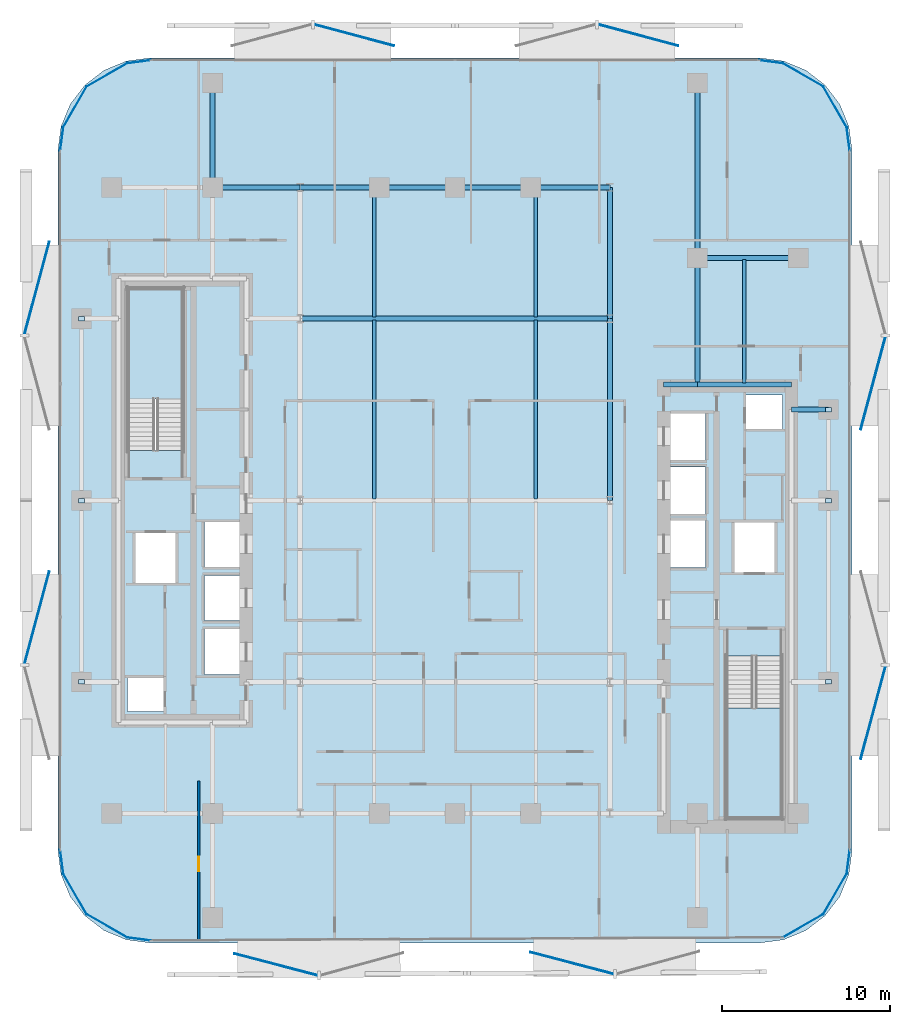
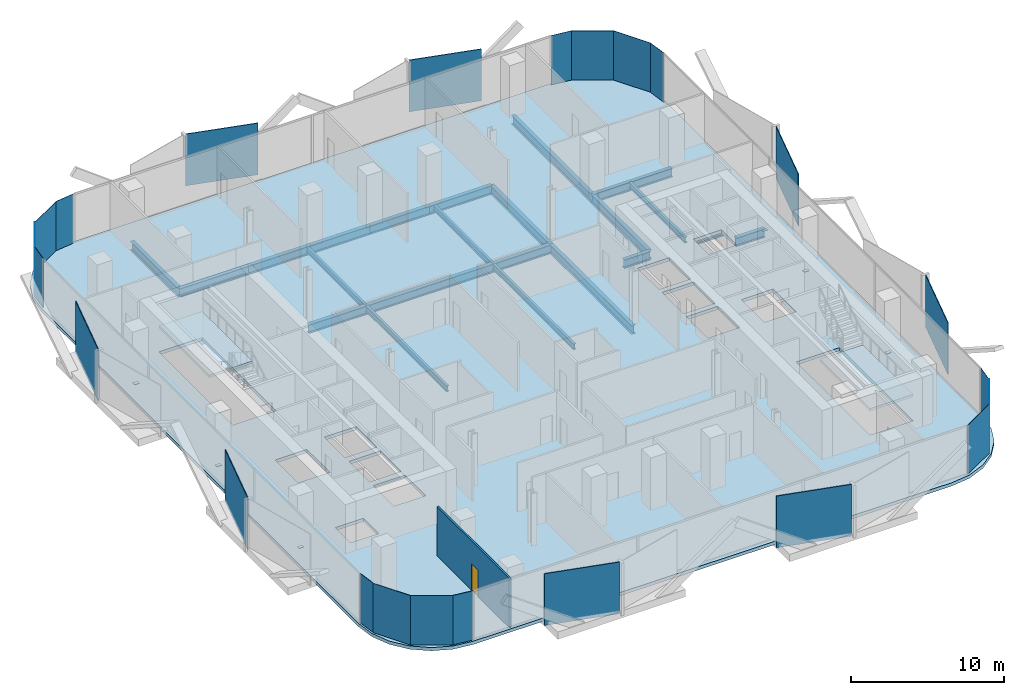
# One storey, part 2 of 16: 29 plates, 20 beams, 3 slabs, 1 door, 1 wall, 1 opening, 2 elements without a shape of their own.
"""IFC4 building model written with IfcOpenShell, lengths in metres."""

import ifcopenshell
import ifcopenshell.guid

model = None  # the IFC model being written
_history = None  # IfcOwnerHistory: only IFC2X3 demands one
_inside = {}  # id of a spatial element -> (the spatial element, [elements in it])
_under = {}  # id of a project, library or spatial element -> (it, [spatial elements below it])
_declared = {}  # id of a project -> (the project, [libraries it declares])
_typed = {}  # id of a type object -> (the type object, [elements of that type])
_made_of = {}  # id of a material, layer set ... -> (it, [elements and type objects made of it])


def new_model(schema):
    """Start an empty IFC model of exactly this schema.

    Asked for "IFC4X3", IfcOpenShell would pick the latest addendum, in which some entities
    have other attributes; the version numbers below select the first issue.
    IFC2X3 requires an IfcOwnerHistory on every rooted entity: one is made here for all.
    """
    global model, _history
    if schema == "IFC4X3":
        model = ifcopenshell.file(schema_version=(4, 3, 0, 0))
    else:
        model = ifcopenshell.file(schema=schema)
    _inside.clear()
    _under.clear()
    _declared.clear()
    _typed.clear()
    _made_of.clear()
    _history = None
    if model.schema == "IFC2X3":
        org = make("IfcOrganization", Name="unknown")
        user = make(
            "IfcPersonAndOrganization",
            ThePerson=make("IfcPerson", FamilyName="unknown"),
            TheOrganization=org,
        )
        app = make(
            "IfcApplication",
            ApplicationDeveloper=org,
            Version="unknown",
            ApplicationFullName="unknown",
            ApplicationIdentifier="unknown",
        )
        _history = make(
            "IfcOwnerHistory",
            OwningUser=user,
            OwningApplication=app,
            ChangeAction="ADDED",
            CreationDate=0,
        )
    return model


def make(cls, **values):
    """One entity of the class cls with the attributes given. An attribute that is None is left unset."""
    return model.create_entity(
        cls, **{name: value for name, value in values.items() if value is not None}
    )


def rooted(cls, **values):
    """An entity with a GlobalId (a new one), such as an element, a storey or a relation."""
    return make(cls, GlobalId=ifcopenshell.guid.new(), OwnerHistory=_history, **values)


def si_unit(unit_type, name, prefix=None):
    """IfcSIUnit, for example si_unit("LENGTHUNIT", "METRE", prefix="MILLI")."""
    return make("IfcSIUnit", UnitType=unit_type, Prefix=prefix, Name=name)


def assignment(units):
    """IfcUnitAssignment: the units of a project."""
    return None if units is None else make("IfcUnitAssignment", Units=units)


def point(xyz):
    """IfcCartesianPoint."""
    return None if xyz is None else make("IfcCartesianPoint", Coordinates=xyz)


def direction(xyz):
    """IfcDirection."""
    return None if xyz is None else make("IfcDirection", DirectionRatios=xyz)


def frame(location, z_axis=None, x_axis=None):
    """IfcAxis2Placement3D, a coordinate frame: its origin and axes. An axis left out is left unset."""
    return make(
        "IfcAxis2Placement3D",
        Location=point(location),
        Axis=direction(z_axis),
        RefDirection=direction(x_axis),
    )


def frame_2d(location, x_axis=None):
    """IfcAxis2Placement2D, a coordinate frame in the plane: its origin and x axis."""
    return make(
        "IfcAxis2Placement2D", Location=point(location), RefDirection=direction(x_axis)
    )


def origin():
    """The frame at (0, 0, 0) with its axes left unset."""
    return frame((0.0, 0.0, 0.0))


def origin_2d():
    """The frame at (0, 0) in the plane with its x axis left unset."""
    return frame_2d((0.0, 0.0))


def place(relative_to, where):
    """IfcLocalPlacement: puts the frame where relative to a parent placement (None: the world)."""
    return make(
        "IfcLocalPlacement", PlacementRelTo=relative_to, RelativePlacement=where
    )


def context(
    kind, dimensions, precision=None, world=None, true_north=None, identifier=None
):
    """IfcGeometricRepresentationContext, for example the 3D "Model" context."""
    return make(
        "IfcGeometricRepresentationContext",
        ContextIdentifier=identifier,
        ContextType=kind,
        CoordinateSpaceDimension=dimensions,
        Precision=precision,
        WorldCoordinateSystem=world,
        TrueNorth=true_north,
    )


def subcontext(parent, identifier, kind, view, scale=None):
    """IfcGeometricRepresentationSubContext, for example "Body" below "Model"."""
    return make(
        "IfcGeometricRepresentationSubContext",
        ContextIdentifier=identifier,
        ContextType=kind,
        ParentContext=parent,
        TargetScale=scale,
        TargetView=view,
    )


def project(units=None, contexts=None):
    """IfcProject with its units and contexts."""
    return rooted(
        "IfcProject",
        Name="project",
        RepresentationContexts=contexts,
        UnitsInContext=assignment(units),
    )


def spatial(cls, under=None, at=None, **own):
    """A site, building, storey or space (cls), placed at a placement, below another one or the project."""
    s = rooted(cls, ObjectPlacement=at, **own)
    if under is not None:
        _under.setdefault(under.id(), (under, []))[1].append(s)
    return s


def polyline(points):
    """IfcPolyline through the points."""
    return make("IfcPolyline", Points=[point(p) for p in points])


def profile(cls, at=None, kind="AREA", **sizes):
    """A parametric profile (cls). Its sizes go by their IFC names, for example OverallWidth=200.0."""
    return make(cls, ProfileType=kind, Position=at, **sizes)


def rectangle(**sizes):
    """IfcRectangleProfileDef."""
    return profile("IfcRectangleProfileDef", **sizes)


def i_section(**sizes):
    """IfcIShapeProfileDef."""
    return profile("IfcIShapeProfileDef", **sizes)


def outline(outer, holes=None, kind="AREA"):
    """IfcArbitraryClosedProfileDef: a profile drawn as a closed curve; with holes, ...WithVoids."""
    if holes is None:
        return make("IfcArbitraryClosedProfileDef", ProfileType=kind, OuterCurve=outer)
    return make(
        "IfcArbitraryProfileDefWithVoids",
        ProfileType=kind,
        OuterCurve=outer,
        InnerCurves=holes,
    )


def extrude(swept, where, along, depth):
    """IfcExtrudedAreaSolid: the profile swept, set in the frame where, extruded along a direction by depth."""
    return make(
        "IfcExtrudedAreaSolid",
        SweptArea=swept,
        Position=where,
        ExtrudedDirection=direction(along),
        Depth=depth,
    )


def shape(context_of_items, identifier, shape_type, items):
    """IfcShapeRepresentation: the items that make up one representation, for example the "Body"."""
    return make(
        "IfcShapeRepresentation",
        ContextOfItems=context_of_items,
        RepresentationIdentifier=identifier,
        RepresentationType=shape_type,
        Items=items,
    )


def material(Name=None, Category=None):
    """IfcMaterial."""
    return make("IfcMaterial", Name=Name, Category=Category)


def layer(
    of_material, thickness, ventilated=None, Name=None, Category=None, Priority=None
):
    """IfcMaterialLayer: one layer of a wall or slab, of a material (None: an air gap)."""
    return make(
        "IfcMaterialLayer",
        Material=of_material,
        LayerThickness=thickness,
        IsVentilated=ventilated,
        Name=Name,
        Category=Category,
        Priority=Priority,
    )


def layer_set(layers, Name=None):
    """IfcMaterialLayerSet."""
    return make("IfcMaterialLayerSet", MaterialLayers=layers, LayerSetName=Name)


def material_profile(
    of_material, cross_section, Name=None, Category=None, Priority=None
):
    """IfcMaterialProfile: a cross section and its material."""
    return make(
        "IfcMaterialProfile",
        Name=Name,
        Material=of_material,
        Profile=cross_section,
        Priority=Priority,
        Category=Category,
    )


def profile_set(profiles, Name=None, composite=None):
    """IfcMaterialProfileSet."""
    return make(
        "IfcMaterialProfileSet",
        Name=Name,
        MaterialProfiles=profiles,
        CompositeProfile=composite,
    )


def made_of(thing, what):
    """Note that an element or type object is made of a material, layer set ...; save() writes the relation."""
    if what is not None:
        _made_of.setdefault(what.id(), (what, []))[1].append(thing)
    return thing


def type_object(cls, material=None, **own):
    """A type object (cls), such as IfcWallType, which elements share."""
    return made_of(rooted(cls, **own), material)


def element(
    cls,
    number,
    at=None,
    inside=None,
    cuts=None,
    type_object=None,
    material=None,
    context=None,
    identifier="Body",
    shape_type=None,
    held_by="IfcProductDefinitionShape",
    body=None,
    shapes=None,
    **own,
):
    """One element of the class cls, such as IfcWall. Its Tag is "e" and its number.

    at: its placement. inside: the storey or other place that contains it. cuts: it is an
    opening in that element (IfcRelVoidsElement). A single representation is given by context,
    identifier, shape_type and body (its items); several are given by shapes. held_by: the class
    of the entity that holds the representations. save() writes the other relations.
    """
    e = rooted(cls, Tag="e%d" % number, ObjectPlacement=at, **own)
    if body is not None:
        shapes = [shape(context, identifier, shape_type, body)]
    if shapes is not None:
        e.Representation = make(held_by, Representations=shapes)
    if inside is not None:
        _inside.setdefault(inside.id(), (inside, []))[1].append(e)
    if cuts is not None:
        rooted(
            "IfcRelVoidsElement", RelatingBuildingElement=cuts, RelatedOpeningElement=e
        )
    if type_object is not None:
        _typed.setdefault(type_object.id(), (type_object, []))[1].append(e)
    return made_of(e, material)


def fill(opening, filler):
    """IfcRelFillsElement: the door or window that sits in an opening."""
    return rooted(
        "IfcRelFillsElement",
        RelatingOpeningElement=opening,
        RelatedBuildingElement=filler,
    )


def aggregate(whole, parts):
    """IfcRelAggregates: a whole, such as a stair, and the parts it consists of."""
    return rooted("IfcRelAggregates", RelatingObject=whole, RelatedObjects=parts)


def save(model, path):
    """Write the relations noted so far, then the file.

    IfcRelAggregates (storeys below a building ...), IfcRelContainedInSpatialStructure (elements
    in a storey), IfcRelDefinesByType, IfcRelAssociatesMaterial and IfcRelDeclares: one each for
    every whole, place, type object, material and project.
    """
    for whole, parts in _under.values():
        aggregate(whole, parts)
    for where, things in _inside.values():
        rooted(
            "IfcRelContainedInSpatialStructure",
            RelatedElements=things,
            RelatingStructure=where,
        )
    for kind, things in _typed.values():
        rooted("IfcRelDefinesByType", RelatedObjects=things, RelatingType=kind)
    for what, things in _made_of.values():
        rooted("IfcRelAssociatesMaterial", RelatedObjects=things, RelatingMaterial=what)
    for by, libraries in _declared.values():
        rooted("IfcRelDeclares", RelatingContext=by, RelatedDefinitions=libraries)
    model.write(path)


model = new_model("IFC4")

# Units and contexts
model_context = context("Model", 3, precision=1e-05, world=origin(), true_north=direction((0.0, 1.0)))
body_context = subcontext(model_context, "Body", "Model", "MODEL_VIEW")
ifc_project = project(units=[si_unit("LENGTHUNIT", "METRE"), si_unit("AREAUNIT", "SQUARE_METRE"), si_unit("VOLUMEUNIT", "CUBIC_METRE"), si_unit("PLANEANGLEUNIT", "RADIAN"), si_unit("MASSUNIT", "GRAM", prefix="KILO")], contexts=[model_context])

# Site, building, storey
site_placement = place(None, origin())
site = spatial("IfcSite", under=ifc_project, at=site_placement, CompositionType="ELEMENT")
building_placement = place(site_placement, origin())
building = spatial("IfcBuilding", under=site, at=building_placement, Name="Khairoan Windgate Tower", CompositionType="ELEMENT")
storey_placement = place(building_placement, frame((0.0, 0.0, 139.39990234375)))
storey = spatial("IfcBuildingStorey", under=building, at=storey_placement, Name="L32", CompositionType="ELEMENT", Elevation=139.39990234375)

# Beams
ifc_material_1 = material(Name="Steel S355", Category="steel")
ifc_material_profile_1 = material_profile(ifc_material_1, i_section(OverallWidth=0.300048828125, OverallDepth=0.699951171875, WebThickness=0.012939453125, FlangeThickness=0.02392578125, FilletRadius=0.02587890625, at=origin_2d()))
ifc_profile_set_1 = profile_set([ifc_material_profile_1], Name="Steel S355")
beam_type_1 = type_object("IfcBeamType", Name="Beam B-G3 H700x300x13x24", PredefinedType="BEAM", material=ifc_profile_set_1)
beam_1_placement = place(storey_placement, frame((20.0, 5.39990234375, -0.60986328125), z_axis=(1.0, 0.0, 0.0), x_axis=(0.0, 1.0, 0.0)))
element("IfcBeam", 1, at=beam_1_placement, inside=storey, type_object=beam_type_1, Name="L32 E-W Primary Girder 19", PredefinedType="BEAM", context=body_context, shape_type="SweptSolid", body=[
    extrude(i_section(OverallWidth=0.300048828125, OverallDepth=0.699951171875, WebThickness=0.012939453125, FlangeThickness=0.02392578125, FilletRadius=0.02587890625, at=origin_2d()), origin(), (0.0, 0.0, 1.0), 2.199951171875),
])
beam_2_placement = place(storey_placement, frame((12.39990234375, 6.89990234375, -0.60986328125), z_axis=(1.0, 0.0, 0.0), x_axis=(0.0, 1.0, 0.0)))
element("IfcBeam", 2, at=beam_2_placement, inside=storey, type_object=beam_type_1, Name="L32 E-W Primary Girder 20", PredefinedType="BEAM", context=body_context, shape_type="SweptSolid", body=[
    extrude(i_section(OverallWidth=0.300048828125, OverallDepth=0.699951171875, WebThickness=0.012939453125, FlangeThickness=0.02392578125, FilletRadius=0.02587890625, at=origin_2d()), origin(), (0.0, 0.0, 1.0), 2.0),
])
beam_3_placement = place(storey_placement, frame((14.39990234375, 6.89990234375, -0.60986328125), z_axis=(1.0, 0.0, 0.0), x_axis=(0.0, 1.0, 0.0)))
element("IfcBeam", 3, at=beam_3_placement, inside=storey, type_object=beam_type_1, Name="L32 E-W Primary Girder 21", PredefinedType="BEAM", context=body_context, shape_type="SweptSolid", body=[
    extrude(i_section(OverallWidth=0.300048828125, OverallDepth=0.699951171875, WebThickness=0.012939453125, FlangeThickness=0.02392578125, FilletRadius=0.02587890625, at=origin_2d()), origin(), (0.0, 0.0, 1.0), 5.60009765625),
])
beam_4_placement = place(storey_placement, frame((-9.199951171875, 10.800048828125, -0.60986328125), z_axis=(1.0, 0.0, 0.0), x_axis=(0.0, 1.0, 0.0)))
element("IfcBeam", 4, at=beam_4_placement, inside=storey, type_object=beam_type_1, Name="L32 E-W Primary Girder 24", PredefinedType="BEAM", context=body_context, shape_type="SweptSolid", body=[
    extrude(i_section(OverallWidth=0.300048828125, OverallDepth=0.699951171875, WebThickness=0.012939453125, FlangeThickness=0.02392578125, FilletRadius=0.02587890625, at=origin_2d()), origin(), (0.0, 0.0, 1.0), 18.39990234375),
])
beam_5_placement = place(storey_placement, frame((14.39990234375, 14.39990234375, -0.60986328125), z_axis=(1.0, 0.0, 0.0), x_axis=(0.0, 1.0, 0.0)))
element("IfcBeam", 5, at=beam_5_placement, inside=storey, type_object=beam_type_1, Name="L32 E-W Primary Girder 27", PredefinedType="BEAM", context=body_context, shape_type="SweptSolid", body=[
    extrude(i_section(OverallWidth=0.300048828125, OverallDepth=0.699951171875, WebThickness=0.012939453125, FlangeThickness=0.02392578125, FilletRadius=0.02587890625, at=origin_2d()), origin(), (0.0, 0.0, 1.0), 6.0),
])
beam_6_placement = place(storey_placement, frame((-14.39990234375, 18.60009765625, -0.60986328125), z_axis=(1.0, 0.0, 0.0), x_axis=(0.0, 1.0, 0.0)))
element("IfcBeam", 6, at=beam_6_placement, inside=storey, type_object=beam_type_1, Name="L32 E-W Primary Girder 29", PredefinedType="BEAM", context=body_context, shape_type="SweptSolid", body=[
    extrude(i_section(OverallWidth=0.300048828125, OverallDepth=0.699951171875, WebThickness=0.012939453125, FlangeThickness=0.02392578125, FilletRadius=0.02587890625, at=origin_2d()), origin(), (0.0, 0.0, 1.0), 5.199951171875),
])
beam_7_placement = place(storey_placement, frame((-9.199951171875, 18.60009765625, -0.60986328125), z_axis=(1.0, 0.0, 0.0), x_axis=(0.0, 1.0, 0.0)))
element("IfcBeam", 7, at=beam_7_placement, inside=storey, type_object=beam_type_1, Name="L32 E-W Primary Girder 30", PredefinedType="BEAM", context=body_context, shape_type="SweptSolid", body=[
    extrude(i_section(OverallWidth=0.300048828125, OverallDepth=0.699951171875, WebThickness=0.012939453125, FlangeThickness=0.02392578125, FilletRadius=0.02587890625, at=origin_2d()), origin(), (0.0, 0.0, 1.0), 4.699951171875),
])
for number, where, z_axis, x_axis, name in (
    (8, (-4.5, 18.60009765625, -0.60986328125), (1.0, 0.0, 0.0), (0.0, 1.0, 0.0), "L32 E-W Primary Girder 31"),
    (9, (0.0, 18.60009765625, -0.60986328125), (1.0, 0.0, 0.0), (0.0, 1.0, 0.0), "L32 E-W Primary Girder 32"),
):
    element("IfcBeam", number, at=place(storey_placement, frame(where, z_axis=z_axis, x_axis=x_axis)), inside=storey, type_object=beam_type_1, Name=name, PredefinedType="BEAM", context=body_context, shape_type="SweptSolid", body=[
        extrude(i_section(OverallWidth=0.300048828125, OverallDepth=0.699951171875, WebThickness=0.012939453125, FlangeThickness=0.02392578125, FilletRadius=0.02587890625, at=origin_2d()), origin(), (0.0, 0.0, 1.0), 4.5),
    ])
beam_8_placement = place(storey_placement, frame((4.5, 18.60009765625, -0.60986328125), z_axis=(1.0, 0.0, 0.0), x_axis=(0.0, 1.0, 0.0)))
element("IfcBeam", 10, at=beam_8_placement, inside=storey, type_object=beam_type_1, Name="L32 E-W Primary Girder 33", PredefinedType="BEAM", context=body_context, shape_type="SweptSolid", body=[
    extrude(i_section(OverallWidth=0.300048828125, OverallDepth=0.699951171875, WebThickness=0.012939453125, FlangeThickness=0.02392578125, FilletRadius=0.02587890625, at=origin_2d()), origin(), (0.0, 0.0, 1.0), 4.699951171875),
])
beam_9_placement = place(storey_placement, frame((-14.39990234375, 18.60009765625, -0.60986328125), z_axis=(0.0, 1.0, 0.0), x_axis=(-1.0, 0.0, 0.0)))
element("IfcBeam", 11, at=beam_9_placement, inside=storey, type_object=beam_type_1, Name="L32 N-S Primary Beam 43", PredefinedType="BEAM", context=body_context, shape_type="SweptSolid", body=[
    extrude(i_section(OverallWidth=0.300048828125, OverallDepth=0.699951171875, WebThickness=0.012939453125, FlangeThickness=0.02392578125, FilletRadius=0.02587890625, at=origin_2d()), origin(), (0.0, 0.0, 1.0), 6.199951171875),
])
beam_10_placement = place(storey_placement, frame((9.199951171875, 0.0, -0.60986328125), z_axis=(0.0, 1.0, 0.0), x_axis=(-1.0, 0.0, 0.0)))
element("IfcBeam", 12, at=beam_10_placement, inside=storey, type_object=beam_type_1, Name="L32 N-S Primary Beam 53", PredefinedType="BEAM", context=body_context, shape_type="SweptSolid", body=[
    extrude(i_section(OverallWidth=0.300048828125, OverallDepth=0.699951171875, WebThickness=0.012939453125, FlangeThickness=0.02392578125, FilletRadius=0.02587890625, at=origin_2d()), origin(), (0.0, 0.0, 1.0), 10.800048828125),
])
beam_11_placement = place(storey_placement, frame((9.199951171875, 10.800048828125, -0.60986328125), z_axis=(0.0, 1.0, 0.0), x_axis=(-1.0, 0.0, 0.0)))
element("IfcBeam", 13, at=beam_11_placement, inside=storey, type_object=beam_type_1, Name="L32 N-S Primary Beam 54", PredefinedType="BEAM", context=body_context, shape_type="SweptSolid", body=[
    extrude(i_section(OverallWidth=0.300048828125, OverallDepth=0.699951171875, WebThickness=0.012939453125, FlangeThickness=0.02392578125, FilletRadius=0.02587890625, at=origin_2d()), origin(), (0.0, 0.0, 1.0), 7.800048828125),
])
beam_12_placement = place(storey_placement, frame((14.39990234375, 6.89990234375, -0.60986328125), z_axis=(0.0, 1.0, 0.0), x_axis=(-1.0, 0.0, 0.0)))
element("IfcBeam", 14, at=beam_12_placement, inside=storey, type_object=beam_type_1, Name="L32 N-S Primary Beam 57", PredefinedType="BEAM", context=body_context, shape_type="SweptSolid", body=[
    extrude(i_section(OverallWidth=0.300048828125, OverallDepth=0.699951171875, WebThickness=0.012939453125, FlangeThickness=0.02392578125, FilletRadius=0.02587890625, at=origin_2d()), origin(), (0.0, 0.0, 1.0), 7.5),
])
beam_13_placement = place(storey_placement, frame((14.39990234375, 14.39990234375, -0.60986328125), z_axis=(0.0, 1.0, 0.0), x_axis=(-1.0, 0.0, 0.0)))
element("IfcBeam", 15, at=beam_13_placement, inside=storey, type_object=beam_type_1, Name="L32 N-S Primary Beam 58", PredefinedType="BEAM", context=body_context, shape_type="SweptSolid", body=[
    extrude(i_section(OverallWidth=0.300048828125, OverallDepth=0.699951171875, WebThickness=0.012939453125, FlangeThickness=0.02392578125, FilletRadius=0.02587890625, at=origin_2d()), origin(), (0.0, 0.0, 1.0), 10.400146484375),
])
ifc_material_2 = material(Name="Steel S355", Category="steel")
ifc_material_profile_2 = material_profile(ifc_material_2, i_section(OverallWidth=0.199951171875, OverallDepth=0.449951171875, WebThickness=0.009033203125, FlangeThickness=0.013916015625, FilletRadius=0.01806640625, at=origin_2d()))
ifc_profile_set_2 = profile_set([ifc_material_profile_2], Name="Steel S355")
beam_type_2 = type_object("IfcBeamType", Name="Beam J-S3 H450x200x9x14", PredefinedType="JOIST", material=ifc_profile_set_2)
beam_14_placement = place(storey_placement, frame((-4.800048828125, 0.090087890625, -0.48486328125), z_axis=(0.0, 1.0, 0.0), x_axis=(-1.0, 0.0, 0.0)))
element("IfcBeam", 16, at=beam_14_placement, inside=storey, type_object=beam_type_2, Name="L32 Secondary Floor Joist 05", PredefinedType="JOIST", context=body_context, shape_type="SweptSolid", body=[
    extrude(i_section(OverallWidth=0.199951171875, OverallDepth=0.449951171875, WebThickness=0.009033203125, FlangeThickness=0.013916015625, FilletRadius=0.01806640625, at=origin_2d()), origin(), (0.0, 0.0, 1.0), 10.619873046875),
])
beam_15_placement = place(storey_placement, frame((-4.800048828125, 10.889892578125, -0.48486328125), z_axis=(0.0, 1.0, 0.0), x_axis=(-1.0, 0.0, 0.0)))
element("IfcBeam", 17, at=beam_15_placement, inside=storey, type_object=beam_type_2, Name="L32 Secondary Floor Joist 06", PredefinedType="JOIST", context=body_context, shape_type="SweptSolid", body=[
    extrude(i_section(OverallWidth=0.199951171875, OverallDepth=0.449951171875, WebThickness=0.009033203125, FlangeThickness=0.013916015625, FilletRadius=0.01806640625, at=origin_2d()), origin(), (0.0, 0.0, 1.0), 7.6201171875),
])
beam_16_placement = place(storey_placement, frame((4.800048828125, 0.090087890625, -0.48486328125), z_axis=(0.0, 1.0, 0.0), x_axis=(-1.0, 0.0, 0.0)))
element("IfcBeam", 18, at=beam_16_placement, inside=storey, type_object=beam_type_2, Name="L32 Secondary Floor Joist 09", PredefinedType="JOIST", context=body_context, shape_type="SweptSolid", body=[
    extrude(i_section(OverallWidth=0.199951171875, OverallDepth=0.449951171875, WebThickness=0.009033203125, FlangeThickness=0.013916015625, FilletRadius=0.01806640625, at=origin_2d()), origin(), (0.0, 0.0, 1.0), 10.619873046875),
])
beam_17_placement = place(storey_placement, frame((4.800048828125, 10.889892578125, -0.48486328125), z_axis=(0.0, 1.0, 0.0), x_axis=(-1.0, 0.0, 0.0)))
element("IfcBeam", 19, at=beam_17_placement, inside=storey, type_object=beam_type_2, Name="L32 Secondary Floor Joist 10", PredefinedType="JOIST", context=body_context, shape_type="SweptSolid", body=[
    extrude(i_section(OverallWidth=0.199951171875, OverallDepth=0.449951171875, WebThickness=0.009033203125, FlangeThickness=0.013916015625, FilletRadius=0.01806640625, at=origin_2d()), origin(), (0.0, 0.0, 1.0), 7.6201171875),
])
beam_18_placement = place(storey_placement, frame((17.199951171875, 6.989990234375, -0.48486328125), z_axis=(0.0, 1.0, 0.0), x_axis=(-1.0, 0.0, 0.0)))
element("IfcBeam", 20, at=beam_18_placement, inside=storey, type_object=beam_type_2, Name="L32 Secondary Floor Joist 11", PredefinedType="JOIST", context=body_context, shape_type="SweptSolid", body=[
    extrude(i_section(OverallWidth=0.199951171875, OverallDepth=0.449951171875, WebThickness=0.009033203125, FlangeThickness=0.013916015625, FilletRadius=0.01806640625, at=origin_2d()), origin(), (0.0, 0.0, 1.0), 7.320068359375),
])

# Plates
ifc_material_3 = material(Name="Low-E Solar Control Laminated Glass", Category="glass")
ifc_layer_1 = layer(ifc_material_3, 0.030029296875, Name="Low-E Solar Control Laminated Glass")
ifc_layer_set_1 = layer_set([ifc_layer_1], Name="Low-E Solar Control Laminated Glass")
plate_type_1 = type_object("IfcPlateType", Name="Aerodynamic Wind-Corner Curved Glazing Plate", PredefinedType="USERDEFINED", material=ifc_layer_set_1)
plate_placement = place(storey_placement, frame((-18.788818359375, -26.068115234375, 0.000244140625), z_axis=(0.0, 0.0, 1.0), x_axis=(-0.991444861374, 0.13052619222, 0.0)))
element("IfcPlate", 21, at=plate_placement, inside=storey, type_object=plate_type_1, Name="L32 Aerodynamic Wind-Corner Curved Glazing Panel 2", ObjectType="GLAZING PANEL", PredefinedType="USERDEFINED", context=body_context, shape_type="SweptSolid", body=[
    extrude(rectangle(XDim=1.4482421875, YDim=0.028076171875, at=origin_2d()), origin(), (0.0, 0.0, 1.0), 3.93994140625),
])
for number, where, z_axis, x_axis, name in (
    (22, (-20.688232421875, -25.28271484375, 0.000244140625), (0.0, 0.0, 1.0), (-0.866025403784, 0.5, 0.0), "L32 Aerodynamic Wind-Corner Curved Glazing Panel 3"),
    (23, (-22.582763671875, -23.38818359375, 0.000244140625), (0.0, 0.0, 1.0), (-0.5, 0.866025403784, 0.0), "L32 Aerodynamic Wind-Corner Curved Glazing Panel 4"),
):
    element("IfcPlate", number, at=place(storey_placement, frame(where, z_axis=z_axis, x_axis=x_axis)), inside=storey, type_object=plate_type_1, Name=name, ObjectType="GLAZING PANEL", PredefinedType="USERDEFINED", context=body_context, shape_type="SweptSolid", body=[
        extrude(rectangle(XDim=2.81396484375, YDim=0.028076171875, at=origin_2d()), origin(), (0.0, 0.0, 1.0), 3.93994140625),
    ])
for number, where, z_axis, x_axis, name in (
    (24, (-23.3681640625, -21.489013671875, 0.000244140625), (0.0, 0.0, 1.0), (-0.13052619222, 0.991444861374, 0.0), "L32 Aerodynamic Wind-Corner Curved Glazing Panel 5"),
    (25, (-23.3681640625, 21.489013671875, 0.000244140625), (0.0, 0.0, 1.0), (0.13052619222, 0.991444861374, 0.0), "L32 Aerodynamic Wind-Corner Curved Glazing Panel 7"),
):
    element("IfcPlate", number, at=place(storey_placement, frame(where, z_axis=z_axis, x_axis=x_axis)), inside=storey, type_object=plate_type_1, Name=name, ObjectType="GLAZING PANEL", PredefinedType="USERDEFINED", context=body_context, shape_type="SweptSolid", body=[
        extrude(rectangle(XDim=1.4482421875, YDim=0.028076171875, at=origin_2d()), origin(), (0.0, 0.0, 1.0), 3.93994140625),
    ])
for number, where, z_axis, x_axis, name in (
    (26, (-22.582763671875, 23.38818359375, 0.000244140625), (0.0, 0.0, 1.0), (0.5, 0.866025403784, 0.0), "L32 Aerodynamic Wind-Corner Curved Glazing Panel 8"),
    (27, (-20.688232421875, 25.28271484375, 0.000244140625), (0.0, 0.0, 1.0), (0.866025403784, 0.5, 0.0), "L32 Aerodynamic Wind-Corner Curved Glazing Panel 9"),
):
    element("IfcPlate", number, at=place(storey_placement, frame(where, z_axis=z_axis, x_axis=x_axis)), inside=storey, type_object=plate_type_1, Name=name, ObjectType="GLAZING PANEL", PredefinedType="USERDEFINED", context=body_context, shape_type="SweptSolid", body=[
        extrude(rectangle(XDim=2.81396484375, YDim=0.028076171875, at=origin_2d()), origin(), (0.0, 0.0, 1.0), 3.93994140625),
    ])
for number, where, z_axis, x_axis, name in (
    (28, (-18.788818359375, 26.068115234375, 0.000244140625), (0.0, 0.0, 1.0), (0.991444861374, 0.13052619222, 0.0), "L32 Aerodynamic Wind-Corner Curved Glazing Panel 10"),
    (29, (18.788818359375, 26.068115234375, 0.000244140625), (0.0, 0.0, 1.0), (0.991444861374, -0.13052619222, 0.0), "L32 Aerodynamic Wind-Corner Curved Glazing Panel 12"),
):
    element("IfcPlate", number, at=place(storey_placement, frame(where, z_axis=z_axis, x_axis=x_axis)), inside=storey, type_object=plate_type_1, Name=name, ObjectType="GLAZING PANEL", PredefinedType="USERDEFINED", context=body_context, shape_type="SweptSolid", body=[
        extrude(rectangle(XDim=1.4482421875, YDim=0.028076171875, at=origin_2d()), origin(), (0.0, 0.0, 1.0), 3.93994140625),
    ])
for number, where, z_axis, x_axis, name in (
    (30, (20.688232421875, 25.28271484375, 0.000244140625), (0.0, 0.0, 1.0), (0.866025403784, -0.5, 0.0), "L32 Aerodynamic Wind-Corner Curved Glazing Panel 13"),
    (31, (22.582763671875, 23.38818359375, 0.000244140625), (0.0, 0.0, 1.0), (0.5, -0.866025403784, 0.0), "L32 Aerodynamic Wind-Corner Curved Glazing Panel 14"),
):
    element("IfcPlate", number, at=place(storey_placement, frame(where, z_axis=z_axis, x_axis=x_axis)), inside=storey, type_object=plate_type_1, Name=name, ObjectType="GLAZING PANEL", PredefinedType="USERDEFINED", context=body_context, shape_type="SweptSolid", body=[
        extrude(rectangle(XDim=2.81396484375, YDim=0.028076171875, at=origin_2d()), origin(), (0.0, 0.0, 1.0), 3.93994140625),
    ])
for number, where, z_axis, x_axis, name in (
    (32, (23.3681640625, 21.489013671875, 0.000244140625), (0.0, 0.0, 1.0), (0.13052619222, -0.991444861374, 0.0), "L32 Aerodynamic Wind-Corner Curved Glazing Panel 15"),
    (33, (23.3681640625, -21.489013671875, 0.000244140625), (0.0, 0.0, 1.0), (-0.13052619222, -0.991444861374, 0.0), "L32 Aerodynamic Wind-Corner Curved Glazing Panel 17"),
):
    element("IfcPlate", number, at=place(storey_placement, frame(where, z_axis=z_axis, x_axis=x_axis)), inside=storey, type_object=plate_type_1, Name=name, ObjectType="GLAZING PANEL", PredefinedType="USERDEFINED", context=body_context, shape_type="SweptSolid", body=[
        extrude(rectangle(XDim=1.4482421875, YDim=0.028076171875, at=origin_2d()), origin(), (0.0, 0.0, 1.0), 3.93994140625),
    ])
for number, where, z_axis, x_axis, name in (
    (34, (22.582763671875, -23.38818359375, 0.000244140625), (0.0, 0.0, 1.0), (-0.5, -0.866025403784, 0.0), "L32 Aerodynamic Wind-Corner Curved Glazing Panel 18"),
    (35, (20.688232421875, -25.28271484375, 0.000244140625), (0.0, 0.0, 1.0), (-0.866025403784, -0.5, 0.0), "L32 Aerodynamic Wind-Corner Curved Glazing Panel 19"),
):
    element("IfcPlate", number, at=place(storey_placement, frame(where, z_axis=z_axis, x_axis=x_axis)), inside=storey, type_object=plate_type_1, Name=name, ObjectType="GLAZING PANEL", PredefinedType="USERDEFINED", context=body_context, shape_type="SweptSolid", body=[
        extrude(rectangle(XDim=2.81396484375, YDim=0.028076171875, at=origin_2d()), origin(), (0.0, 0.0, 1.0), 3.93994140625),
    ])
ifc_material_4 = material(Name="Steel S355", Category="steel")
ifc_layer_2 = layer(ifc_material_4, 0.0400390625, Name="Steel S355")
ifc_layer_set_2 = layer_set([ifc_layer_2], Name="Steel S355")
plate_type_2 = type_object("IfcPlateType", Name="Hollow Section End-Cap Plate PL-CAP40", PredefinedType="SHEET", material=ifc_layer_set_2)
for number, where, z_axis, x_axis, name in (
    (36, (-22.199951171875, -10.784912109375, -0.454833984375), (0.0, 0.0, 1.0), (0.0, 1.0, 0.0), "BM-SP-L32-034 steel end-cap plate 1"),
    (37, (-22.199951171875, -0.014892578125, -0.454833984375), (0.0, 0.0, 1.0), (0.0, 1.0, 0.0), "BM-SP-L32-034 steel end-cap plate 2"),
    (38, (-22.199951171875, 10.784912109375, -0.454833984375), (0.0, 0.0, 1.0), (0.0, 1.0, 0.0), "BM-SP-L32-035 steel end-cap plate 2"),
    (39, (22.199951171875, -10.784912109375, -0.454833984375), (0.0, 0.0, 1.0), (0.0, 1.0, 0.0), "BM-SP-L32-062 steel end-cap plate 1"),
    (40, (22.199951171875, -0.014892578125, -0.454833984375), (0.0, 0.0, 1.0), (0.0, 1.0, 0.0), "BM-SP-L32-062 steel end-cap plate 2"),
    (41, (22.199951171875, 5.385009765625, -0.454833984375), (0.0, 0.0, 1.0), (0.0, 1.0, 0.0), "BM-SP-L32-063 steel end-cap plate 2"),
):
    element("IfcPlate", number, at=place(storey_placement, frame(where, z_axis=z_axis, x_axis=x_axis)), inside=storey, type_object=plate_type_2, Name=name, PredefinedType="SHEET", context=body_context, shape_type="SweptSolid", body=[
        extrude(rectangle(XDim=0.27001953125, YDim=0.3701171875, at=origin_2d()), origin(), (0.0, 0.0, 1.0), 0.0400390625),
    ])
ifc_material_5 = material(Name="Anodised Bronze Aluminium 6063-T6", Category="aluminium")
ifc_layer_3 = layer(ifc_material_5, 0.054931640625, Name="Anodised Bronze Aluminium 6063-T6")
ifc_layer_set_3 = layer_set([ifc_layer_3], Name="Anodised Bronze Aluminium 6063-T6")
plate_type_3 = type_object("IfcPlateType", Name="Perforated Bronze Solar Screen Panel BSP-1", PredefinedType="USERDEFINED", material=ifc_layer_set_3)
for number, where, z_axis, x_axis, name in (
    (42, (6.946044921875, -27.497314453125, -0.099609375), (0.0, 0.0, 1.0), (-0.967179115616, 0.254095569259, 0.0), "L32 Perforated Bronze Solar Screen Panel 201R"),
    (43, (-10.642822265625, -27.58349609375, -0.099609375), (0.0, 0.0, 1.0), (-0.967179115616, 0.254095569259, 0.0), "L32 Perforated Bronze Solar Screen Panel 202R"),
):
    element("IfcPlate", number, at=place(storey_placement, frame(where, z_axis=z_axis, x_axis=x_axis)), inside=storey, type_object=plate_type_3, Name=name, ObjectType="SCREEN", PredefinedType="USERDEFINED", context=body_context, shape_type="SweptSolid", body=[
        extrude(rectangle(XDim=5.10107421875, YDim=0.054931640625, at=origin_2d()), origin(), (0.0, 0.0, 1.0), 4.139892578125),
    ])
for number, where, z_axis, x_axis, name in (
    (44, (-24.8447265625, -6.961669921875, -0.099609375), (0.0, 0.0, 1.0), (0.258819045103, 0.965925826289, 0.0), "L32 Perforated Bronze Solar Screen Panel 203R"),
    (45, (-24.8447265625, 12.629150390625, -0.099609375), (0.0, 0.0, 1.0), (0.258819045103, 0.965925826289, 0.0), "L32 Perforated Bronze Solar Screen Panel 204R"),
):
    element("IfcPlate", number, at=place(storey_placement, frame(where, z_axis=z_axis, x_axis=x_axis)), inside=storey, type_object=plate_type_3, Name=name, ObjectType="SCREEN", PredefinedType="USERDEFINED", context=body_context, shape_type="SweptSolid", body=[
        extrude(rectangle(XDim=5.680908203125, YDim=0.054931640625, at=origin_2d()), origin(), (0.0, 0.0, 1.0), 4.139892578125),
    ])
for number, where, z_axis, x_axis, name in (
    (46, (-5.98974609375, 27.646240234375, -0.099609375), (0.0, 0.0, 1.0), (0.965925826289, -0.258819045103, 0.0), "L32 Perforated Bronze Solar Screen Panel 205R"),
    (47, (10.90087890625, 27.646240234375, -0.099609375), (0.0, 0.0, 1.0), (0.965925826289, -0.258819045103, 0.0), "L32 Perforated Bronze Solar Screen Panel 206R"),
):
    element("IfcPlate", number, at=place(storey_placement, frame(where, z_axis=z_axis, x_axis=x_axis)), inside=storey, type_object=plate_type_3, Name=name, ObjectType="SCREEN", PredefinedType="USERDEFINED", context=body_context, shape_type="SweptSolid", body=[
        extrude(rectangle(XDim=4.89794921875, YDim=0.054931640625, at=origin_2d()), origin(), (0.0, 0.0, 1.0), 4.139892578125),
    ])
for number, where, z_axis, x_axis, name in (
    (48, (24.8447265625, 6.961669921875, -0.099609375), (0.0, 0.0, 1.0), (-0.258819045103, -0.965925826289, 0.0), "L32 Perforated Bronze Solar Screen Panel 207R"),
    (49, (24.8447265625, -12.629150390625, -0.099609375), (0.0, 0.0, 1.0), (-0.258819045103, -0.965925826289, 0.0), "L32 Perforated Bronze Solar Screen Panel 208R"),
):
    element("IfcPlate", number, at=place(storey_placement, frame(where, z_axis=z_axis, x_axis=x_axis)), inside=storey, type_object=plate_type_3, Name=name, ObjectType="SCREEN", PredefinedType="USERDEFINED", context=body_context, shape_type="SweptSolid", body=[
        extrude(rectangle(XDim=5.680908203125, YDim=0.054931640625, at=origin_2d()), origin(), (0.0, 0.0, 1.0), 4.139892578125),
    ])

# Stair, slab
ifc_material_6 = material(Name="Concrete C40/50", Category="concrete")
stair_type = type_object("IfcStairType", Name="Tower Core Dog-Leg Stair ST-T1 1560mm", PredefinedType="HALF_TURN_STAIR", material=ifc_material_6)
stair_1_placement = place(storey_placement, origin())
stair_1 = element("IfcStair", 50, at=stair_1_placement, inside=storey, type_object=stair_type, Name="L32 Stair ST1", PredefinedType="HALF_TURN_STAIR")
ifc_material_7 = material(Name="Concrete C40/50", Category="concrete")
ifc_layer_4 = layer(ifc_material_7, 0.199951171875, Name="Concrete C40/50")
ifc_layer_set_4 = layer_set([ifc_layer_4], Name="Concrete C40/50")
slab_type_1 = type_object("IfcSlabType", Name="Reinforced Concrete Stair Landing Slab STL-200", PredefinedType="LANDING", material=ifc_layer_set_4)
slab_1_placement = place(storey_placement, frame((0.0, 0.0, 1.900146484375)))
slab_1 = element("IfcSlab", 51, at=slab_1_placement, type_object=slab_type_1, Name="ST1 landing 1", PredefinedType="LANDING", context=body_context, shape_type="SweptSolid", body=[
    extrude(outline(polyline([(16.14990234375, -12.340087890625), (16.14990234375, -18.89990234375), (19.419921875, -18.89990234375), (19.419921875, -12.340087890625), (16.14990234375, -12.340087890625)])), origin(), (0.0, 0.0, 1.0), 0.199951171875),
])
aggregate(stair_1, [slab_1])

stair_2_placement = place(storey_placement, origin())
stair_2 = element("IfcStair", 52, at=stair_2_placement, inside=storey, type_object=stair_type, Name="L32 Stair ST2", PredefinedType="HALF_TURN_STAIR")
slab_2_placement = place(storey_placement, frame((0.0, 0.0, 1.900146484375)))
slab_2 = element("IfcSlab", 53, at=slab_2_placement, type_object=slab_type_1, Name="ST2 landing 1", PredefinedType="LANDING", context=body_context, shape_type="SweptSolid", body=[
    extrude(outline(polyline([(-16.14990234375, 6.0400390625), (-16.14990234375, 12.60009765625), (-19.419921875, 12.60009765625), (-19.419921875, 6.0400390625), (-16.14990234375, 6.0400390625)])), origin(), (0.0, 0.0, 1.0), 0.199951171875),
])
aggregate(stair_2, [slab_2])

# Slab
ifc_material_8 = material(Name="Concrete C40/50", Category="concrete")
ifc_layer_5 = layer(ifc_material_8, 0.260009765625, Name="Concrete C40/50")
ifc_layer_set_5 = layer_set([ifc_layer_5], Name="Concrete C40/50")
slab_type_2 = type_object("IfcSlabType", Name="Tower Composite Floor Slab FS2 260mm", PredefinedType="FLOOR", material=ifc_layer_set_5)
slab_3_placement = place(storey_placement, frame((0.0, 0.0, -0.260009765625)))
element("IfcSlab", 54, at=slab_3_placement, inside=storey, type_object=slab_type_2, Name="L32 Structural Floor Slab", PredefinedType="FLOOR", context=body_context, shape_type="SweptSolid", body=[
    extrude(outline(polyline([(18.10009765625, -26.300048828125), (19.5234375, -26.112548828125), (20.85009765625, -25.56298828125), (21.989013671875, -24.689208984375), (22.863037109375, -23.550048828125), (23.41259765625, -22.223388671875), (23.60009765625, -20.800048828125), (23.60009765625, 20.800048828125), (23.41259765625, 22.223388671875), (22.863037109375, 23.550048828125), (21.989013671875, 24.689208984375), (20.85009765625, 25.56298828125), (19.5234375, 26.112548828125), (18.10009765625, 26.300048828125), (-18.10009765625, 26.300048828125), (-19.5234375, 26.112548828125), (-20.85009765625, 25.56298828125), (-21.989013671875, 24.689208984375), (-22.863037109375, 23.550048828125), (-23.41259765625, 22.223388671875), (-23.60009765625, 20.800048828125), (-23.60009765625, -20.800048828125), (-23.41259765625, -22.223388671875), (-22.863037109375, -23.550048828125), (-21.989013671875, -24.689208984375), (-20.85009765625, -25.56298828125), (-19.5234375, -26.112548828125), (-18.10009765625, -26.300048828125), (18.10009765625, -26.300048828125)]), holes=[polyline([(16.14990234375, -9.260009765625), (16.14990234375, -18.89990234375), (19.419921875, -18.89990234375), (19.419921875, -9.260009765625), (16.14990234375, -9.260009765625)]), polyline([(-16.14990234375, 2.9599609375), (-16.14990234375, 12.60009765625), (-19.419921875, 12.60009765625), (-19.419921875, 2.9599609375), (-16.14990234375, 2.9599609375)]), polyline([(-14.89990234375, -3.949951171875), (-12.5, -3.949951171875), (-12.5, -1.25), (-14.89990234375, -1.25), (-14.89990234375, -3.949951171875)]), polyline([(-14.89990234375, -7.14990234375), (-12.5, -7.14990234375), (-12.5, -4.449951171875), (-14.89990234375, -4.449951171875), (-14.89990234375, -7.14990234375)]), polyline([(-14.89990234375, -10.35009765625), (-12.5, -10.35009765625), (-12.5, -7.64990234375), (-14.89990234375, -7.64990234375), (-14.89990234375, -10.35009765625)]), polyline([(12.5, 2.39990234375), (14.89990234375, 2.39990234375), (14.89990234375, 5.199951171875), (12.5, 5.199951171875), (12.5, 2.39990234375)]), polyline([(12.5, -0.800048828125), (14.89990234375, -0.800048828125), (14.89990234375, 2.0), (12.5, 2.0), (12.5, -0.800048828125)]), polyline([(12.5, -4.0), (14.89990234375, -4.0), (14.89990234375, -1.199951171875), (12.5, -1.199951171875), (12.5, -4.0)]), polyline([(16.60009765625, -4.300048828125), (19.0, -4.300048828125), (19.0, -1.300048828125), (16.60009765625, -1.300048828125), (16.60009765625, -4.300048828125)]), polyline([(-19.0, -4.89990234375), (-16.60009765625, -4.89990234375), (-16.60009765625, -1.89990234375), (-19.0, -1.89990234375), (-19.0, -4.89990234375)]), polyline([(-19.449951171875, -12.550048828125), (-17.31005859375, -12.550048828125), (-17.31005859375, -10.550048828125), (-19.449951171875, -10.550048828125), (-19.449951171875, -12.550048828125)]), polyline([(17.31005859375, 4.25), (19.449951171875, 4.25), (19.449951171875, 6.25), (17.31005859375, 6.25), (17.31005859375, 4.25)])]), origin(), (0.0, 0.0, 1.0), 0.260009765625),
])

# Wall, opening, door
ifc_material_9 = material(Name="Acoustic Fire-Rated Gypsum Partition", Category="gypsum")
ifc_layer_6 = layer(ifc_material_9, 0.139892578125, Name="Acoustic Fire-Rated Gypsum Partition")
ifc_layer_set_6 = layer_set([ifc_layer_6], Name="Acoustic Fire-Rated Gypsum Partition")
wall_type = type_object("IfcWallType", Name="Inter-Tenancy Compartment Wall", PredefinedType="PARTITIONING", material=ifc_layer_set_6)
wall_placement = place(storey_placement, frame((-15.23193359375, -26.14111328125, 0.0), z_axis=(0.0, 0.0, 1.0), x_axis=(0.0, 1.0, 0.0)))
wall = element("IfcWall", 55, at=wall_placement, inside=storey, type_object=wall_type, Name="L32 Interior Partition 047", PredefinedType="PARTITIONING", context=body_context, shape_type="SweptSolid", body=[
    extrude(rectangle(XDim=9.461181640625, YDim=0.139892578125, at=frame_2d((4.73046875, 0.0))), origin(), (0.0, 0.0, 1.0), 3.940185546875),
])
opening_placement = place(wall_placement, frame((4.10302734375, 0.0, 0.0)))
opening = element("IfcOpeningElement", 56, at=opening_placement, cuts=wall, Name="Opening FD-SRV", PredefinedType="OPENING", context=body_context, shape_type="SweptSolid", body=[
    extrude(rectangle(XDim=0.85009765625, YDim=2.10009765625, at=frame_2d((0.425048828125, 1.050048828125))), frame((0.0, 0.079833984375, 0.0), z_axis=(0.0, -1.0, 0.0), x_axis=(1.0, 0.0, 0.0)), (0.0, 0.0, 1.0), 0.159912109375),
])
ifc_material_10 = material(Name="Steel S355", Category="steel")
door_type = type_object("IfcDoorType", Name="Core Service and Riser Fire Door FD-SRV 850x2100", OperationType="NOTDEFINED", PredefinedType="DOOR", material=ifc_material_10)
door_placement = place(opening_placement, origin())
door = element("IfcDoor", 57, at=door_placement, inside=storey, type_object=door_type, Name="L32 L32-46-L32-47 Door", OperationType="SINGLE_SWING_RIGHT", OverallHeight=2.10009765625, OverallWidth=0.85009765625, PredefinedType="DOOR", context=body_context, shape_type="SweptSolid", body=[
    extrude(rectangle(XDim=0.85009765625, YDim=2.10009765625, at=frame_2d((0.425048828125, 1.050048828125))), frame((0.0, 0.02490234375, 0.0), z_axis=(0.0, -1.0, 0.0), x_axis=(1.0, 0.0, 0.0)), (0.0, 0.0, 1.0), 0.050048828125),
])
fill(opening, door)

save(model, "model.ifc")
